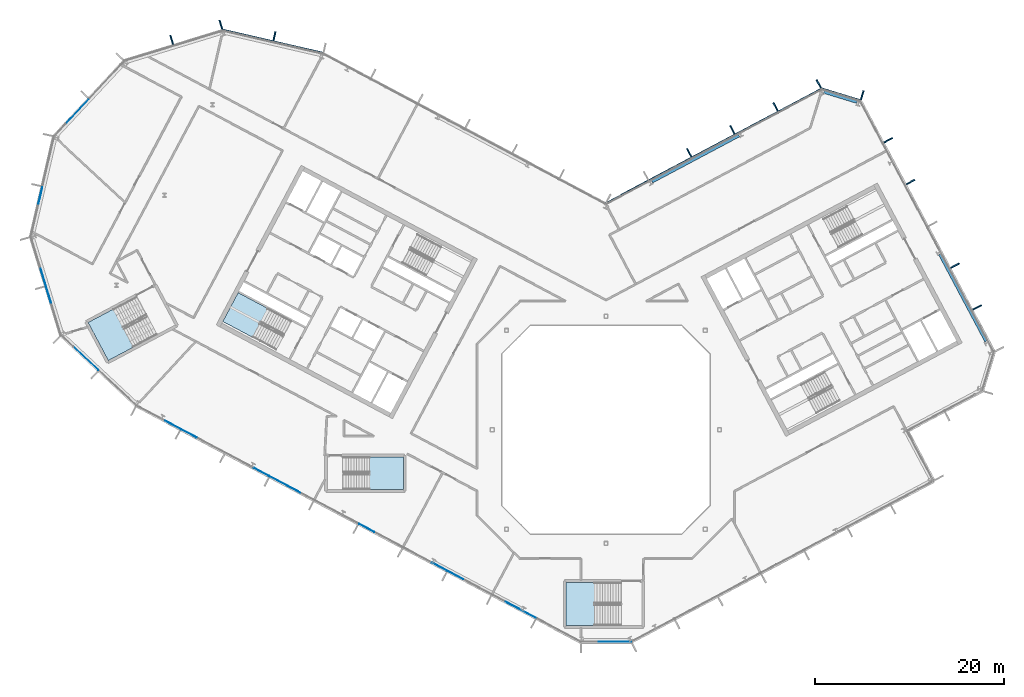
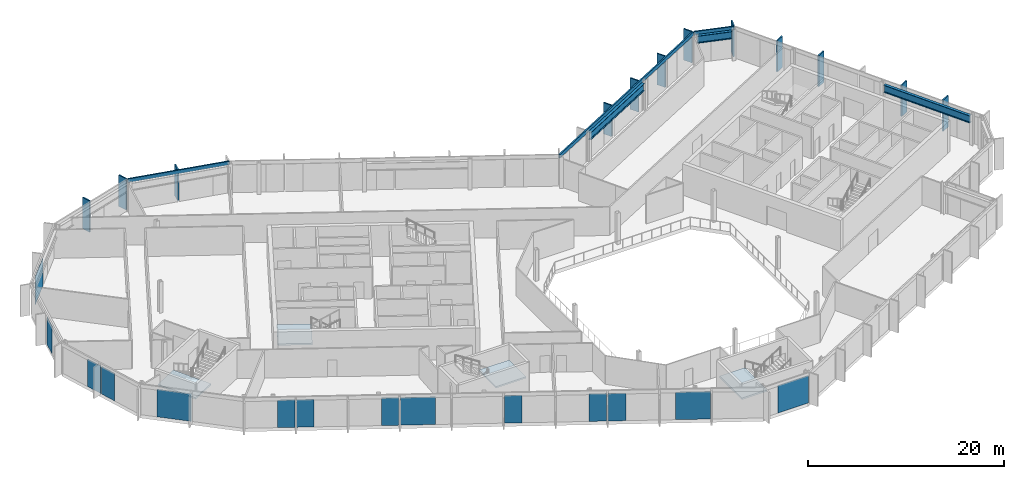
# One storey, part 10 of 26: 15 members, 14 plates, 4 slabs, 3 beams, 15 elements without a shape of their own.
"""IFC4 building model written with IfcOpenShell, lengths in metres."""

from ifc_helpers import new_model, si_unit, direction, frame, origin, origin_2d, place, context, subcontext, project, spatial, polyline, rectangle, i_section, outline, extrude, material, layer, layer_set, material_profile, profile_set, type_object, element, aggregate, save


model = new_model("IFC4")

# Units and contexts
model_context = context("Model", 3, precision=1e-05, world=origin(), true_north=direction((0.0, 1.0)))
body_context = subcontext(model_context, "Body", "Model", "MODEL_VIEW")
ifc_project = project(units=[si_unit("LENGTHUNIT", "METRE"), si_unit("AREAUNIT", "SQUARE_METRE"), si_unit("VOLUMEUNIT", "CUBIC_METRE"), si_unit("PLANEANGLEUNIT", "RADIAN"), si_unit("MASSUNIT", "GRAM", prefix="KILO")], contexts=[model_context])

# Site, building, storey
site_placement = place(None, origin())
site = spatial("IfcSite", under=ifc_project, at=site_placement, CompositionType="ELEMENT")
building_placement = place(site_placement, origin())
building = spatial("IfcBuilding", under=site, at=building_placement, Name="Cormorant Relay Tower", CompositionType="ELEMENT")
storey_placement = place(building_placement, frame((0.0, 0.0, 320.39990234375)))
storey = spatial("IfcBuildingStorey", under=building, at=storey_placement, Name="L73", CompositionType="ELEMENT", Elevation=320.39990234375)

# Curtain wall, members
ifc_material_1 = material(Name="Aluminium 6063-T6 anodised bronze", Category="aluminium")
ifc_layer_1 = layer(ifc_material_1, 0.199951171875)
ifc_layer_set_1 = layer_set([ifc_layer_1], Name="CW1 unitised bronze curtain wall with vertical fins")
curtain_wall_type = type_object("IfcCurtainWallType", Name="CW1 unitised bronze curtain wall with vertical fins", PredefinedType="NOTDEFINED", material=ifc_layer_set_1)
curtain_wall_1_placement = place(storey_placement, origin())
curtain_wall_1 = element("IfcCurtainWall", 1, at=curtain_wall_1_placement, inside=storey, type_object=curtain_wall_type, Name="CW1 curtain wall 6", PredefinedType="NOTDEFINED")
ifc_material_2 = material(Name="Aluminium 6063-T6 anodised bronze", Category="aluminium")
ifc_material_profile_1 = material_profile(ifc_material_2, rectangle(XDim=0.14990234375, YDim=1.0, at=origin_2d()), Name="AL 150x1000")
ifc_profile_set_1 = profile_set([ifc_material_profile_1], Name="Aluminium 6063-T6 anodised bronze")
member_type_1 = type_object("IfcMemberType", Name="CW1 bronze fin mullion 150 x 1000", PredefinedType="MULLION", material=ifc_profile_set_1)
member_1_placement = place(storey_placement, frame((39.222412109375, 12.927001953125, 0.0), z_axis=(0.0, 0.0, 1.0), x_axis=(-0.469471562786, 0.882947592859, 0.0)))
member_1 = element("IfcMember", 2, at=member_1_placement, type_object=member_type_1, Name="CW1 fin 6.2", PredefinedType="MULLION", context=body_context, shape_type="SweptSolid", body=[
    extrude(rectangle(XDim=0.14990234375, YDim=1.0, at=origin_2d()), origin(), (0.0, 0.0, 1.0), 3.900146484375),
])
member_2_placement = place(storey_placement, frame((36.875, 17.341552734375, 0.0), z_axis=(0.0, 0.0, 1.0), x_axis=(-0.469471562786, 0.882947592859, 0.0)))
member_2 = element("IfcMember", 3, at=member_2_placement, type_object=member_type_1, Name="CW1 fin 6.3", PredefinedType="MULLION", context=body_context, shape_type="SweptSolid", body=[
    extrude(rectangle(XDim=0.14990234375, YDim=1.0, at=origin_2d()), origin(), (0.0, 0.0, 1.0), 3.900146484375),
])
member_3_placement = place(storey_placement, frame((32.18017578125, 26.171142578125, 0.0), z_axis=(0.0, 0.0, 1.0), x_axis=(-0.469471562786, 0.882947592859, 0.0)))
member_3 = element("IfcMember", 4, at=member_3_placement, type_object=member_type_1, Name="CW1 fin 6.5", PredefinedType="MULLION", context=body_context, shape_type="SweptSolid", body=[
    extrude(rectangle(XDim=0.14990234375, YDim=1.0, at=origin_2d()), origin(), (0.0, 0.0, 1.0), 3.900146484375),
])
member_4_placement = place(storey_placement, frame((29.832763671875, 30.585693359375, 0.0), z_axis=(0.0, 0.0, 1.0), x_axis=(-0.469471562786, 0.882947592859, 0.0)))
member_4 = element("IfcMember", 5, at=member_4_placement, type_object=member_type_1, Name="CW1 fin 6.6", PredefinedType="MULLION", context=body_context, shape_type="SweptSolid", body=[
    extrude(rectangle(XDim=0.14990234375, YDim=1.0, at=origin_2d()), origin(), (0.0, 0.0, 1.0), 3.900146484375),
])
aggregate(curtain_wall_1, [member_1, member_2, member_3, member_4])

# Curtain wall, member
curtain_wall_2_placement = place(storey_placement, origin())
curtain_wall_2 = element("IfcCurtainWall", 6, at=curtain_wall_2_placement, inside=storey, type_object=curtain_wall_type, Name="CW1 curtain wall 7", PredefinedType="NOTDEFINED")
member_5_placement = place(storey_placement, frame((27.072021484375, 35.34130859375, 0.0), z_axis=(0.0, 0.0, 1.0), x_axis=(-0.956304755963, 0.292371704723, 0.0)))
member_5 = element("IfcMember", 7, at=member_5_placement, type_object=member_type_1, Name="CW1 fin 7.1", PredefinedType="MULLION", context=body_context, shape_type="SweptSolid", body=[
    extrude(rectangle(XDim=0.14990234375, YDim=1.0, at=origin_2d()), origin(), (0.0, 0.0, 1.0), 3.900146484375),
])

# Curtain wall, members
curtain_wall_3_placement = place(storey_placement, origin())
curtain_wall_3 = element("IfcCurtainWall", 8, at=curtain_wall_3_placement, inside=storey, type_object=curtain_wall_type, Name="CW1 curtain wall 8", PredefinedType="NOTDEFINED")
member_6_placement = place(storey_placement, frame((22.4814453125, 36.530517578125, 0.0), z_axis=(0.0, 0.0, 1.0), x_axis=(-0.882947592859, -0.469471562786, 0.0)))
member_6 = element("IfcMember", 9, at=member_6_placement, type_object=member_type_1, Name="CW1 fin 8.1", PredefinedType="MULLION", context=body_context, shape_type="SweptSolid", body=[
    extrude(rectangle(XDim=0.14990234375, YDim=1.0, at=origin_2d()), origin(), (0.0, 0.0, 1.0), 3.900146484375),
])
member_7_placement = place(storey_placement, frame((17.91943359375, 34.104736328125, 0.0), z_axis=(0.0, 0.0, 1.0), x_axis=(-0.882947592859, -0.469471562786, 0.0)))
member_7 = element("IfcMember", 10, at=member_7_placement, type_object=member_type_1, Name="CW1 fin 8.2", PredefinedType="MULLION", context=body_context, shape_type="SweptSolid", body=[
    extrude(rectangle(XDim=0.14990234375, YDim=1.0, at=origin_2d()), origin(), (0.0, 0.0, 1.0), 3.900146484375),
])
member_8_placement = place(storey_placement, frame((13.357421875, 31.67919921875, 0.0), z_axis=(0.0, 0.0, 1.0), x_axis=(-0.882947592859, -0.469471562786, 0.0)))
member_8 = element("IfcMember", 11, at=member_8_placement, type_object=member_type_1, Name="CW1 fin 8.3", PredefinedType="MULLION", context=body_context, shape_type="SweptSolid", body=[
    extrude(rectangle(XDim=0.14990234375, YDim=1.0, at=origin_2d()), origin(), (0.0, 0.0, 1.0), 3.900146484375),
])
member_9_placement = place(storey_placement, frame((8.79541015625, 29.25341796875, 0.0), z_axis=(0.0, 0.0, 1.0), x_axis=(-0.882947592859, -0.469471562786, 0.0)))
member_9 = element("IfcMember", 12, at=member_9_placement, type_object=member_type_1, Name="CW1 fin 8.4", PredefinedType="MULLION", context=body_context, shape_type="SweptSolid", body=[
    extrude(rectangle(XDim=0.14990234375, YDim=1.0, at=origin_2d()), origin(), (0.0, 0.0, 1.0), 3.900146484375),
])

# Curtain wall, member
curtain_wall_4_placement = place(storey_placement, origin())
curtain_wall_4 = element("IfcCurtainWall", 13, at=curtain_wall_4_placement, inside=storey, type_object=curtain_wall_type, Name="CW1 curtain wall 10", PredefinedType="NOTDEFINED")
member_10_placement = place(storey_placement, frame((-35.01220703125, 41.57275390625, 0.0), z_axis=(0.0, 0.0, 1.0), x_axis=(-0.974370064785, 0.224951054344, 0.0)))
member_10 = element("IfcMember", 14, at=member_10_placement, type_object=member_type_1, Name="CW1 fin 10.2", PredefinedType="MULLION", context=body_context, shape_type="SweptSolid", body=[
    extrude(rectangle(XDim=0.14990234375, YDim=1.0, at=origin_2d()), origin(), (0.0, 0.0, 1.0), 3.900146484375),
])

# Curtain wall, members
curtain_wall_5_placement = place(storey_placement, origin())
curtain_wall_5 = element("IfcCurtainWall", 15, at=curtain_wall_5_placement, inside=storey, type_object=curtain_wall_type, Name="CW1 curtain wall 11", PredefinedType="NOTDEFINED")
member_11_placement = place(storey_placement, frame((-40.670166015625, 42.78271484375, 0.0), z_axis=(0.0, 0.0, 1.0), x_axis=(-0.956304755963, -0.292371704723, 0.0)))
member_11 = element("IfcMember", 16, at=member_11_placement, type_object=member_type_1, Name="CW1 fin 11.1", PredefinedType="MULLION", context=body_context, shape_type="SweptSolid", body=[
    extrude(rectangle(XDim=0.14990234375, YDim=1.0, at=origin_2d()), origin(), (0.0, 0.0, 1.0), 3.900146484375),
])
member_12_placement = place(storey_placement, frame((-45.867919921875, 41.193603515625, 0.0), z_axis=(0.0, 0.0, 1.0), x_axis=(-0.956304755963, -0.292371704723, 0.0)))
member_12 = element("IfcMember", 17, at=member_12_placement, type_object=member_type_1, Name="CW1 fin 11.2", PredefinedType="MULLION", context=body_context, shape_type="SweptSolid", body=[
    extrude(rectangle(XDim=0.14990234375, YDim=1.0, at=origin_2d()), origin(), (0.0, 0.0, 1.0), 3.900146484375),
])
aggregate(curtain_wall_5, [member_11, member_12])

# Member
ifc_material_3 = material(Name="Aluminium 6063-T6 anodised bronze", Category="aluminium")
ifc_material_profile_2 = material_profile(ifc_material_3, rectangle(XDim=0.159912109375, YDim=0.449951171875, at=origin_2d()), Name="AL 160x450")
ifc_profile_set_2 = profile_set([ifc_material_profile_2], Name="Aluminium 6063-T6 anodised bronze")
member_type_2 = type_object("IfcMemberType", Name="CW1 bronze transom 160 x 450", PredefinedType="USERDEFINED", material=ifc_profile_set_2)
member_13_placement = place(storey_placement, frame((26.902587890625, 34.78662109375, 3.675048828125), z_axis=(-0.956303761594, 0.292374957137, 0.0), x_axis=(-0.292374957137, -0.956303761594, 0.0)))
member_13 = element("IfcMember", 18, at=member_13_placement, type_object=member_type_2, Name="CW1 transom 7", ObjectType="TRANSOM", PredefinedType="USERDEFINED", context=body_context, shape_type="SweptSolid", body=[
    extrude(rectangle(XDim=0.159912109375, YDim=0.449951171875, at=origin_2d()), origin(), (0.0, 0.0, 1.0), 4.24267578125),
])

aggregate(curtain_wall_2, [member_5, member_13])

member_14_placement = place(storey_placement, frame((22.75390625, 36.018310546875, 3.675048828125), z_axis=(-0.882948156597, -0.469470502547, 0.0), x_axis=(0.469470502547, -0.882948156597, 0.0)))
member_14 = element("IfcMember", 19, at=member_14_placement, type_object=member_type_2, Name="CW1 transom 8", ObjectType="TRANSOM", PredefinedType="USERDEFINED", context=body_context, shape_type="SweptSolid", body=[
    extrude(rectangle(XDim=0.159912109375, YDim=0.449951171875, at=origin_2d()), origin(), (0.0, 0.0, 1.0), 25.834228515625),
])

aggregate(curtain_wall_3, [member_6, member_7, member_8, member_9, member_14])

member_15_placement = place(storey_placement, frame((-29.8466796875, 39.784912109375, 3.675048828125), z_axis=(-0.974365070969, 0.224972683844, 0.0), x_axis=(-0.224972683844, -0.974365070969, 0.0)))
member_15 = element("IfcMember", 20, at=member_15_placement, type_object=member_type_2, Name="CW1 transom 10", ObjectType="TRANSOM", PredefinedType="USERDEFINED", context=body_context, shape_type="SweptSolid", body=[
    extrude(rectangle(XDim=0.159912109375, YDim=0.449951171875, at=origin_2d()), origin(), (0.0, 0.0, 1.0), 10.870361328125),
])

aggregate(curtain_wall_4, [member_10, member_15])

# Beams
ifc_material_4 = material(Name="Steel ASTM A992 (Fy 345 MPa)", Category="steel")
ifc_material_profile_3 = material_profile(ifc_material_4, i_section(OverallWidth=0.307373046875, OverallDepth=0.927001953125, WebThickness=0.019287109375, FlangeThickness=0.031982421875, FilletRadius=0.01904296875, at=origin_2d()), Name="W920x289")
ifc_profile_set_3 = profile_set([ifc_material_profile_3], Name="Steel ASTM A992 (Fy 345 MPa)")
beam_type = type_object("IfcBeamType", Name="Spandrel W920x289", PredefinedType="SPANDREL", material=ifc_profile_set_3)
beam_1_placement = place(storey_placement, frame((40.1591796875, 9.3466796875, 3.076416015625), z_axis=(-0.469474391681, 0.882946088703, 0.0), x_axis=(-0.882946088703, -0.469474391681, 0.0)))
element("IfcBeam", 21, at=beam_1_placement, inside=storey, type_object=beam_type, Name="Spandrel beam L73-006", PredefinedType="SPANDREL", context=body_context, shape_type="SweptSolid", body=[
    extrude(i_section(OverallWidth=0.307373046875, OverallDepth=0.927001953125, WebThickness=0.019287109375, FlangeThickness=0.031982421875, FilletRadius=0.01904296875, at=origin_2d()), origin(), (0.0, 0.0, 1.0), 10.401611328125),
])
beam_2_placement = place(storey_placement, frame((26.512451171875, 34.619873046875, 3.076416015625), z_axis=(-0.956313678807, 0.292342517821, 0.0), x_axis=(-0.292342517821, -0.956313678807, 0.0)))
element("IfcBeam", 22, at=beam_2_placement, inside=storey, type_object=beam_type, Name="Spandrel beam L73-007", PredefinedType="SPANDREL", context=body_context, shape_type="SweptSolid", body=[
    extrude(i_section(OverallWidth=0.307373046875, OverallDepth=0.927001953125, WebThickness=0.019287109375, FlangeThickness=0.031982421875, FilletRadius=0.01904296875, at=origin_2d()), origin(), (0.0, 0.0, 1.0), 3.65185546875),
])
beam_3_placement = place(storey_placement, frame((14.05322265625, 31.082275390625, 3.076416015625), z_axis=(-0.882950644937, -0.469465822617, 0.0), x_axis=(0.469465822617, -0.882950644937, 0.0)))
element("IfcBeam", 23, at=beam_3_placement, inside=storey, type_object=beam_type, Name="Spandrel beam L73-008", PredefinedType="SPANDREL", context=body_context, shape_type="SweptSolid", body=[
    extrude(i_section(OverallWidth=0.307373046875, OverallDepth=0.927001953125, WebThickness=0.019287109375, FlangeThickness=0.031982421875, FilletRadius=0.01904296875, at=origin_2d()), origin(), (0.0, 0.0, 1.0), 10.4013671875),
])

# Curtain wall, plate
curtain_wall_6_placement = place(storey_placement, origin())
curtain_wall_6 = element("IfcCurtainWall", 24, at=curtain_wall_6_placement, inside=storey, type_object=curtain_wall_type, Name="CW1 curtain wall 13", PredefinedType="NOTDEFINED")
ifc_material_5 = material(Name="Tinted laminated glass", Category="glass")
ifc_layer_2 = layer(ifc_material_5, 0.0400390625)
ifc_layer_set_2 = layer_set([ifc_layer_2], Name="CW1 tinted vision panel 1800 module")
plate_type_1 = type_object("IfcPlateType", Name="CW1 tinted vision panel 1800 module", PredefinedType="CURTAIN_PANEL", material=ifc_layer_set_2)
plate_1_placement = place(storey_placement, frame((-59.736083984375, 24.74365234375, 0.0), z_axis=(0.0, 0.0, 1.0), x_axis=(-0.224951054344, -0.974370064785, 0.0)))
plate_1 = element("IfcPlate", 25, at=plate_1_placement, type_object=plate_type_1, Name="CW1 panel V01", PredefinedType="CURTAIN_PANEL", context=body_context, shape_type="SweptSolid", body=[
    extrude(rectangle(XDim=1.800048828125, YDim=0.0400390625, at=origin_2d()), origin(), (0.0, 0.0, 1.0), 3.449951171875),
])
aggregate(curtain_wall_6, [plate_1])

# Curtain wall, plates
curtain_wall_7_placement = place(storey_placement, origin())
curtain_wall_7 = element("IfcCurtainWall", 26, at=curtain_wall_7_placement, inside=storey, type_object=curtain_wall_type, Name="CW1 curtain wall 14", PredefinedType="NOTDEFINED")
plate_2_placement = place(storey_placement, frame((-59.434814453125, 16.122314453125, 0.0), z_axis=(0.0, 0.0, 1.0), x_axis=(0.292371704723, -0.956304755963, 0.0)))
plate_2 = element("IfcPlate", 27, at=plate_2_placement, type_object=plate_type_1, Name="CW1 panel V01", PredefinedType="CURTAIN_PANEL", context=body_context, shape_type="SweptSolid", body=[
    extrude(rectangle(XDim=1.800048828125, YDim=0.0400390625, at=origin_2d()), origin(), (0.0, 0.0, 1.0), 3.449951171875),
])
plate_3_placement = place(storey_placement, frame((-58.86474609375, 14.25732421875, 0.0), z_axis=(0.0, 0.0, 1.0), x_axis=(0.292371704723, -0.956304755963, 0.0)))
plate_3 = element("IfcPlate", 28, at=plate_3_placement, type_object=plate_type_1, Name="CW1 panel V02", PredefinedType="CURTAIN_PANEL", context=body_context, shape_type="SweptSolid", body=[
    extrude(rectangle(XDim=1.800048828125, YDim=0.0400390625, at=origin_2d()), origin(), (0.0, 0.0, 1.0), 3.449951171875),
])
aggregate(curtain_wall_7, [plate_2, plate_3])

curtain_wall_8_placement = place(storey_placement, origin())
curtain_wall_8 = element("IfcCurtainWall", 29, at=curtain_wall_8_placement, inside=storey, type_object=curtain_wall_type, Name="CW1 curtain wall 16", PredefinedType="NOTDEFINED")
plate_4_placement = place(storey_placement, frame((-45.767578125, 0.5283203125, 0.0), z_axis=(0.0, 0.0, 1.0), x_axis=(0.882947592859, -0.469471562786, 0.0)))
plate_4 = element("IfcPlate", 30, at=plate_4_placement, type_object=plate_type_1, Name="CW1 panel V01", PredefinedType="CURTAIN_PANEL", context=body_context, shape_type="SweptSolid", body=[
    extrude(rectangle(XDim=1.800048828125, YDim=0.0400390625, at=origin_2d()), origin(), (0.0, 0.0, 1.0), 3.449951171875),
])
plate_5_placement = place(storey_placement, frame((-44.0458984375, -0.38720703125, 0.0), z_axis=(0.0, 0.0, 1.0), x_axis=(0.882947592859, -0.469471562786, 0.0)))
plate_5 = element("IfcPlate", 31, at=plate_5_placement, type_object=plate_type_1, Name="CW1 panel V02", PredefinedType="CURTAIN_PANEL", context=body_context, shape_type="SweptSolid", body=[
    extrude(rectangle(XDim=1.800048828125, YDim=0.0400390625, at=origin_2d()), origin(), (0.0, 0.0, 1.0), 3.449951171875),
])
plate_6_placement = place(storey_placement, frame((-36.37890625, -4.463623046875, 0.0), z_axis=(0.0, 0.0, 1.0), x_axis=(0.882947592859, -0.469471562786, 0.0)))
plate_6 = element("IfcPlate", 32, at=plate_6_placement, type_object=plate_type_1, Name="CW1 panel V04", PredefinedType="CURTAIN_PANEL", context=body_context, shape_type="SweptSolid", body=[
    extrude(rectangle(XDim=1.800048828125, YDim=0.0400390625, at=origin_2d()), origin(), (0.0, 0.0, 1.0), 3.449951171875),
])
plate_7_placement = place(storey_placement, frame((-25.268798828125, -10.37109375, 0.0), z_axis=(0.0, 0.0, 1.0), x_axis=(0.882947592859, -0.469471562786, 0.0)))
plate_7 = element("IfcPlate", 33, at=plate_7_placement, type_object=plate_type_1, Name="CW1 panel V07", PredefinedType="CURTAIN_PANEL", context=body_context, shape_type="SweptSolid", body=[
    extrude(rectangle(XDim=1.800048828125, YDim=0.0400390625, at=origin_2d()), origin(), (0.0, 0.0, 1.0), 3.449951171875),
])
plate_8_placement = place(storey_placement, frame((-17.601806640625, -14.447509765625, 0.0), z_axis=(0.0, 0.0, 1.0), x_axis=(0.882947592859, -0.469471562786, 0.0)))
plate_8 = element("IfcPlate", 34, at=plate_8_placement, type_object=plate_type_1, Name="CW1 panel V09", PredefinedType="CURTAIN_PANEL", context=body_context, shape_type="SweptSolid", body=[
    extrude(rectangle(XDim=1.800048828125, YDim=0.0400390625, at=origin_2d()), origin(), (0.0, 0.0, 1.0), 3.449951171875),
])
plate_9_placement = place(storey_placement, frame((-15.880126953125, -15.363037109375, 0.0), z_axis=(0.0, 0.0, 1.0), x_axis=(0.882947592859, -0.469471562786, 0.0)))
plate_9 = element("IfcPlate", 35, at=plate_9_placement, type_object=plate_type_1, Name="CW1 panel V10", PredefinedType="CURTAIN_PANEL", context=body_context, shape_type="SweptSolid", body=[
    extrude(rectangle(XDim=1.800048828125, YDim=0.0400390625, at=origin_2d()), origin(), (0.0, 0.0, 1.0), 3.449951171875),
])

# Curtain wall, plate
curtain_wall_9_placement = place(storey_placement, origin())
curtain_wall_9 = element("IfcCurtainWall", 36, at=curtain_wall_9_placement, inside=storey, type_object=curtain_wall_type, Name="CW1 curtain wall 1", PredefinedType="NOTDEFINED")
ifc_material_6 = material(Name="Tinted laminated glass", Category="glass")
ifc_layer_3 = layer(ifc_material_6, 0.0400390625)
ifc_layer_set_3 = layer_set([ifc_layer_3], Name="CW1 tinted vision panel 3600 module")
plate_type_2 = type_object("IfcPlateType", Name="CW1 tinted vision panel 3600 module", PredefinedType="CURTAIN_PANEL", material=ifc_layer_set_3)
plate_10_placement = place(storey_placement, frame((0.848876953125, -22.3955078125, 0.0), z_axis=(0.0, 0.0, 1.0), x_axis=(1.0, 0.0, 0.0)))
plate_10 = element("IfcPlate", 37, at=plate_10_placement, type_object=plate_type_2, Name="CW1 panel V01", PredefinedType="CURTAIN_PANEL", context=body_context, shape_type="SweptSolid", body=[
    extrude(rectangle(XDim=3.60009765625, YDim=0.0400390625, at=origin_2d()), origin(), (0.0, 0.0, 1.0), 3.449951171875),
])
aggregate(curtain_wall_9, [plate_10])

curtain_wall_10_placement = place(storey_placement, origin())
curtain_wall_10 = element("IfcCurtainWall", 38, at=curtain_wall_10_placement, inside=storey, type_object=curtain_wall_type, Name="CW1 curtain wall 12", PredefinedType="NOTDEFINED")
plate_11_placement = place(storey_placement, frame((-55.861083984375, 33.6025390625, 0.0), z_axis=(0.0, 0.0, 1.0), x_axis=(-0.681998360062, -0.731353701619, 0.0)))
plate_11 = element("IfcPlate", 39, at=plate_11_placement, type_object=plate_type_2, Name="CW1 panel V02", PredefinedType="CURTAIN_PANEL", context=body_context, shape_type="SweptSolid", body=[
    extrude(rectangle(XDim=3.60009765625, YDim=0.0400390625, at=origin_2d()), origin(), (0.0, 0.0, 1.0), 3.449951171875),
])
aggregate(curtain_wall_10, [plate_11])

curtain_wall_11_placement = place(storey_placement, origin())
curtain_wall_11 = element("IfcCurtainWall", 40, at=curtain_wall_11_placement, inside=storey, type_object=curtain_wall_type, Name="CW1 curtain wall 15", PredefinedType="NOTDEFINED")
plate_12_placement = place(storey_placement, frame((-54.951416015625, 7.55517578125, 0.0), z_axis=(0.0, 0.0, 1.0), x_axis=(0.731353701619, -0.681998360062, 0.0)))
plate_12 = element("IfcPlate", 41, at=plate_12_placement, type_object=plate_type_2, Name="CW1 panel V01", PredefinedType="CURTAIN_PANEL", context=body_context, shape_type="SweptSolid", body=[
    extrude(rectangle(XDim=3.60009765625, YDim=0.0400390625, at=origin_2d()), origin(), (0.0, 0.0, 1.0), 3.449951171875),
])
aggregate(curtain_wall_11, [plate_12])

# Plate
plate_13_placement = place(storey_placement, frame((-33.862548828125, -5.801513671875, 0.0), z_axis=(0.0, 0.0, 1.0), x_axis=(0.882947592859, -0.469471562786, 0.0)))
plate_13 = element("IfcPlate", 42, at=plate_13_placement, type_object=plate_type_2, Name="CW1 panel V05", PredefinedType="CURTAIN_PANEL", context=body_context, shape_type="SweptSolid", body=[
    extrude(rectangle(XDim=3.60009765625, YDim=0.0400390625, at=origin_2d()), origin(), (0.0, 0.0, 1.0), 3.449951171875),
])

plate_14_placement = place(storey_placement, frame((-9.008056640625, -19.01708984375, 0.0), z_axis=(0.0, 0.0, 1.0), x_axis=(0.882947592859, -0.469471562786, 0.0)))
plate_14 = element("IfcPlate", 43, at=plate_14_placement, type_object=plate_type_2, Name="CW1 panel V12", PredefinedType="CURTAIN_PANEL", context=body_context, shape_type="SweptSolid", body=[
    extrude(rectangle(XDim=3.60009765625, YDim=0.0400390625, at=origin_2d()), origin(), (0.0, 0.0, 1.0), 3.449951171875),
])

aggregate(curtain_wall_8, [plate_4, plate_5, plate_6, plate_13, plate_7, plate_8, plate_9, plate_14])

# Stair, slab
ifc_material_7 = material(Name="Concrete 40 MPa", Category="concrete")
stair_type_1 = type_object("IfcStairType", Name="Exit stair 1500", PredefinedType="HALF_TURN_STAIR", material=ifc_material_7)
stair_1_placement = place(storey_placement, origin())
stair_1 = element("IfcStair", 44, at=stair_1_placement, inside=storey, type_object=stair_type_1, Name="L73 Stair", PredefinedType="HALF_TURN_STAIR")
ifc_material_8 = material(Name="Concrete 40 MPa", Category="concrete")
ifc_layer_4 = layer(ifc_material_8, 0.199951171875)
ifc_layer_set_4 = layer_set([ifc_layer_4], Name="Exit stair landing 200")
slab_type = type_object("IfcSlabType", Name="Exit stair landing 200", PredefinedType="LANDING", material=ifc_layer_set_4)
slab_1_placement = place(storey_placement, frame((0.0, 0.0, 1.75)))
slab_1 = element("IfcSlab", 45, at=slab_1_placement, type_object=slab_type, Name="A2 landing 1", PredefinedType="LANDING", context=body_context, shape_type="SweptSolid", body=[
    extrude(outline(polyline([(-35.71337890625, 12.816650390625), (-38.84765625, 14.483154296875), (-40.467529296875, 11.43701171875), (-37.3330078125, 9.7705078125), (-35.71337890625, 12.816650390625)])), origin(), (0.0, 0.0, 1.0), 0.2001953125),
])
aggregate(stair_1, [slab_1])

ifc_material_9 = material(Name="Concrete 40 MPa", Category="concrete")
stair_type_2 = type_object("IfcStairType", Name="Remote exit stair 2200", PredefinedType="HALF_TURN_STAIR", material=ifc_material_9)
stair_2_placement = place(storey_placement, origin())
stair_2 = element("IfcStair", 46, at=stair_2_placement, inside=storey, type_object=stair_type_2, Name="L73 Stair", PredefinedType="HALF_TURN_STAIR")
slab_2_placement = place(storey_placement, frame((0.0, 0.0, 1.75)))
slab_2 = element("IfcSlab", 47, at=slab_2_placement, type_object=slab_type, Name="RK1 landing 1", PredefinedType="LANDING", context=body_context, shape_type="SweptSolid", body=[
    extrude(outline(polyline([(-1.199951171875, -16.125), (-4.199951171875, -16.125), (-4.199951171875, -20.675048828125), (-1.199951171875, -20.675048828125), (-1.199951171875, -16.125)])), origin(), (0.0, 0.0, 1.0), 0.2001953125),
])
aggregate(stair_2, [slab_2])

stair_3_placement = place(storey_placement, origin())
stair_3 = element("IfcStair", 48, at=stair_3_placement, inside=storey, type_object=stair_type_2, Name="L73 Stair", PredefinedType="HALF_TURN_STAIR")
slab_3_placement = place(storey_placement, frame((0.0, 0.0, 1.75)))
slab_3 = element("IfcSlab", 49, at=slab_3_placement, type_object=slab_type, Name="RP1 landing 1", PredefinedType="LANDING", context=body_context, shape_type="SweptSolid", body=[
    extrude(outline(polyline([(-52.051025390625, 12.7392578125), (-54.699951171875, 11.330810546875), (-52.563720703125, 7.3134765625), (-49.914794921875, 8.721923828125), (-52.051025390625, 12.7392578125)])), origin(), (0.0, 0.0, 1.0), 0.2001953125),
])
aggregate(stair_3, [slab_3])

stair_4_placement = place(storey_placement, origin())
stair_4 = element("IfcStair", 50, at=stair_4_placement, inside=storey, type_object=stair_type_1, Name="L73 Stair", PredefinedType="HALF_TURN_STAIR")
slab_4_placement = place(storey_placement, frame((0.0, 0.0, 1.75)))
slab_4 = element("IfcSlab", 51, at=slab_4_placement, type_object=slab_type, Name="RC1 landing 1", PredefinedType="LANDING", context=body_context, shape_type="SweptSolid", body=[
    extrude(outline(polyline([(-24.949951171875, -6.324951171875), (-21.39990234375, -6.324951171875), (-21.39990234375, -2.875), (-24.949951171875, -2.875), (-24.949951171875, -6.324951171875)])), origin(), (0.0, 0.0, 1.0), 0.2001953125),
])
aggregate(stair_4, [slab_4])

save(model, "model.ifc")
